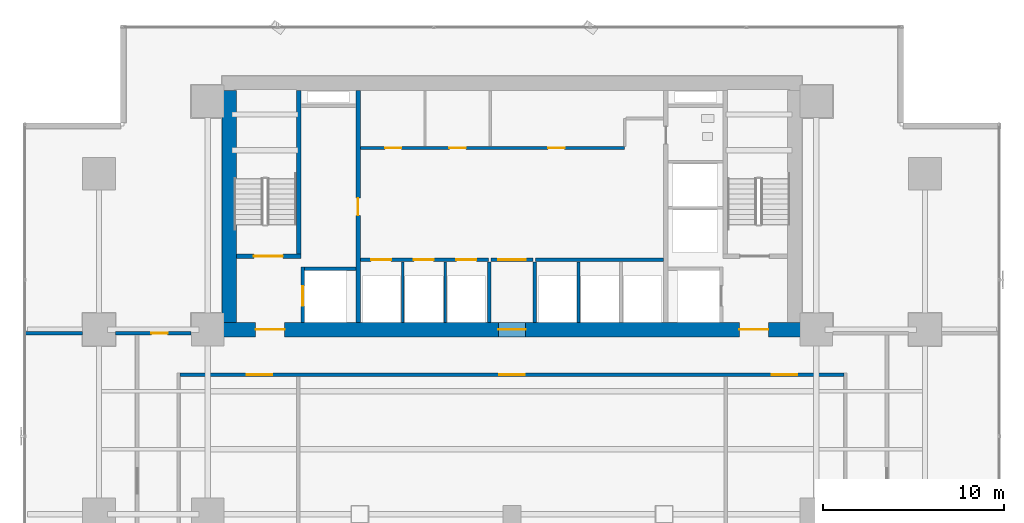
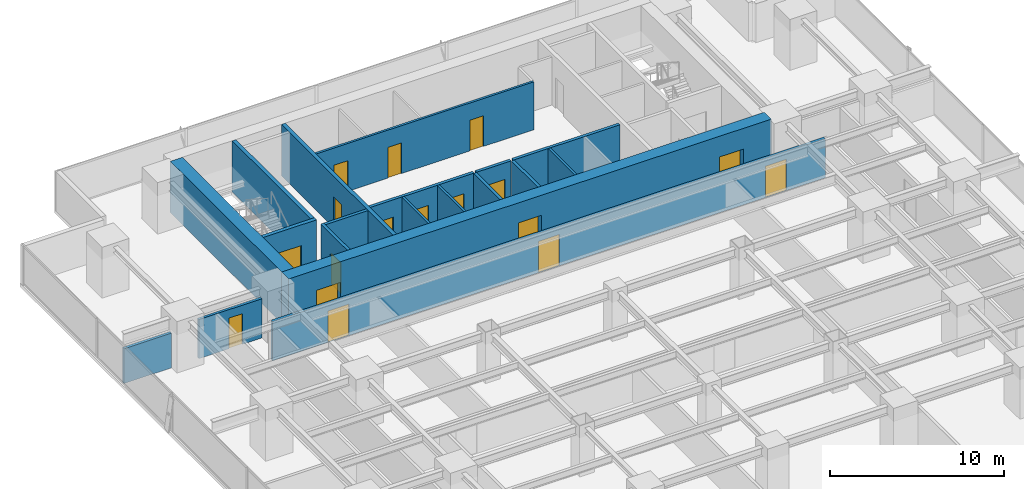
# One storey, part 25 of 33: 19 walls, 17 doors, 17 openings.
"""IFC4 building model written with IfcOpenShell, lengths in metres."""

from ifc_helpers import new_model, si_unit, direction, frame, frame_2d, origin, place, context, subcontext, project, spatial, rectangle, extrude, source, transform, mapped, material, layer, layer_set, type_object, element, fill, save


model = new_model("IFC4")

# Units and contexts
model_context = context("Model", 3, precision=1e-05, world=origin(), true_north=direction((0.0, 1.0)))
body_context = subcontext(model_context, "Body", "Model", "MODEL_VIEW")
ifc_project = project(units=[si_unit("LENGTHUNIT", "METRE"), si_unit("AREAUNIT", "SQUARE_METRE"), si_unit("VOLUMEUNIT", "CUBIC_METRE"), si_unit("PLANEANGLEUNIT", "RADIAN"), si_unit("MASSUNIT", "GRAM", prefix="KILO")], contexts=[model_context])

# Site, building, storey
site_placement = place(None, origin())
site = spatial("IfcSite", under=ifc_project, at=site_placement, CompositionType="ELEMENT")
building_placement = place(site_placement, origin())
building = spatial("IfcBuilding", under=site, at=building_placement, Name="Sumidabori Civic Tower", CompositionType="ELEMENT")
storey_placement = place(building_placement, frame((0.0, 0.0, 63.199951171875)))
storey = spatial("IfcBuildingStorey", under=building, at=storey_placement, Name="L16", CompositionType="ELEMENT", Elevation=63.199951171875)

# Wall, openings, doors
ifc_material_1 = material(Name="Concrete C60/75", Category="concrete")
ifc_layer_1 = layer(ifc_material_1, 0.800048828125, Name="Concrete C60/75")
ifc_layer_set_1 = layer_set([ifc_layer_1], Name="Concrete C60/75")
wall_type_1 = type_object("IfcWallType", Name="WL-CORE-800", PredefinedType="SHEAR", material=ifc_layer_set_1)
shared_shape_1 = source(origin(), body_context, "Body", "SweptSolid", [
    extrude(rectangle(XDim=32.0, YDim=0.800048828125, at=frame_2d((16.0, 0.0))), origin(), (0.0, 0.0, 1.0), 3.60009765625),
])
wall_1_placement = place(storey_placement, frame((-16.0, 10.199951171875, 0.0), z_axis=(0.0, 0.0, 1.0), x_axis=(1.0, 0.0, 0.0)))
wall_1 = element("IfcWall", 1, at=wall_1_placement, inside=storey, type_object=wall_type_1, Name="Core Shear Wall L16 S", PredefinedType="SHEAR", context=body_context, shape_type="MappedRepresentation", body=[
    mapped(shared_shape_1, transform((0.0, 0.0, 0.0), x_axis=(1.0, 0.0, 0.0), y_axis=(0.0, 1.0, 0.0), z_axis=(0.0, 0.0, 1.0), scale=1.0)),
])
opening_1_placement = place(wall_1_placement, frame((1.85009765625, 0.0, 0.0)))
opening_1 = element("IfcOpeningElement", 2, at=opening_1_placement, cuts=wall_1, Name="Opening DR-FD4", PredefinedType="OPENING", context=body_context, shape_type="SweptSolid", body=[
    extrude(rectangle(XDim=1.60009765625, YDim=2.14990234375, at=frame_2d((0.800048828125, 1.074951171875))), frame((0.0, 0.412109375, 0.0), z_axis=(0.0, -1.0, 0.0), x_axis=(1.0, 0.0, 0.0)), (0.0, 0.0, 1.0), 0.823974609375),
])
opening_2_placement = place(wall_1_placement, frame((28.550048828125, 0.0, 0.0)))
opening_2 = element("IfcOpeningElement", 3, at=opening_2_placement, cuts=wall_1, Name="Opening DR-FD4", PredefinedType="OPENING", context=body_context, shape_type="SweptSolid", body=[
    extrude(rectangle(XDim=1.60009765625, YDim=2.14990234375, at=frame_2d((0.800048828125, 1.074951171875))), frame((0.0, 0.412109375, 0.0), z_axis=(0.0, -1.0, 0.0), x_axis=(1.0, 0.0, 0.0)), (0.0, 0.0, 1.0), 0.823974609375),
])
opening_3_placement = place(wall_1_placement, frame((15.25, 0.0, 0.0)))
opening_3 = element("IfcOpeningElement", 4, at=opening_3_placement, cuts=wall_1, Name="Opening DR-FD3", PredefinedType="OPENING", context=body_context, shape_type="SweptSolid", body=[
    extrude(rectangle(XDim=1.5, YDim=2.199951171875, at=frame_2d((0.75, 1.10009765625))), frame((0.0, 0.412109375, 0.0), z_axis=(0.0, -1.0, 0.0), x_axis=(1.0, 0.0, 0.0)), (0.0, 0.0, 1.0), 0.823974609375),
])
ifc_material_2 = material(Name="Steel SN490", Category="steel")
door_type_1 = type_object("IfcDoorType", Name="DR-FD4", OperationType="DOUBLE_DOOR_SINGLE_SWING", PredefinedType="DOOR", material=ifc_material_2)
shared_shape_2 = source(origin(), body_context, "Body", "SweptSolid", [
    extrude(rectangle(XDim=1.60009765625, YDim=2.14990234375, at=frame_2d((0.800048828125, 1.074951171875))), frame((0.0, 0.02490234375, 0.0), z_axis=(0.0, -1.0, 0.0), x_axis=(1.0, 0.0, 0.0)), (0.0, 0.0, 1.0), 0.050048828125),
])
door_1_placement = place(opening_1_placement, origin())
door_1 = element("IfcDoor", 5, at=door_1_placement, inside=storey, type_object=door_type_1, Name="Door DR:L16:ELOB-W", OperationType="DOUBLE_DOOR_SINGLE_SWING", OverallHeight=2.14990234375, OverallWidth=1.60009765625, PredefinedType="DOOR", context=body_context, shape_type="MappedRepresentation", body=[
    mapped(shared_shape_2, transform((0.0, 0.0, 0.0), x_axis=(1.0, 0.0, 0.0), y_axis=(0.0, 1.0, 0.0), z_axis=(0.0, 0.0, 1.0), scale=1.0)),
])
fill(opening_1, door_1)
door_2_placement = place(opening_2_placement, origin())
door_2 = element("IfcDoor", 6, at=door_2_placement, inside=storey, type_object=door_type_1, Name="Door DR:L16:ELOB-E", OperationType="DOUBLE_DOOR_SINGLE_SWING", OverallHeight=2.14990234375, OverallWidth=1.60009765625, PredefinedType="DOOR", context=body_context, shape_type="MappedRepresentation", body=[
    mapped(shared_shape_2, transform((0.0, 0.0, 0.0), x_axis=(1.0, 0.0, 0.0), y_axis=(0.0, 1.0, 0.0), z_axis=(0.0, 0.0, 1.0), scale=1.0)),
])
fill(opening_2, door_2)
door_type_2 = type_object("IfcDoorType", Name="DR-FD-DBL", OperationType="DOUBLE_DOOR_SINGLE_SWING", PredefinedType="DOOR", material=ifc_material_2)
shared_shape_3 = source(origin(), body_context, "Body", "SweptSolid", [
    extrude(rectangle(XDim=1.5, YDim=2.199951171875, at=frame_2d((0.75, 1.10009765625))), frame((0.0, 0.02490234375, 0.0), z_axis=(0.0, -1.0, 0.0), x_axis=(1.0, 0.0, 0.0)), (0.0, 0.0, 1.0), 0.050048828125),
])
door_3_placement = place(opening_3_placement, origin())
door_3 = element("IfcDoor", 7, at=door_3_placement, inside=storey, type_object=door_type_2, Name="Door DR:L16:THROAT-OUT", OperationType="DOUBLE_DOOR_SINGLE_SWING", OverallHeight=2.199951171875, OverallWidth=1.5, PredefinedType="DOOR", context=body_context, shape_type="MappedRepresentation", body=[
    mapped(shared_shape_3, transform((0.0, 0.0, 0.0), x_axis=(1.0, 0.0, 0.0), y_axis=(0.0, 1.0, 0.0), z_axis=(0.0, 0.0, 1.0), scale=1.0)),
])
fill(opening_3, door_3)

# Wall
shared_shape_4 = source(origin(), body_context, "Body", "SweptSolid", [
    extrude(rectangle(XDim=12.7998046875, YDim=0.800048828125, at=frame_2d((6.39990234375, 0.0))), origin(), (0.0, 0.0, 1.0), 3.60009765625),
])
wall_2_placement = place(storey_placement, frame((-15.60009765625, 10.60009765625, 0.0), z_axis=(0.0, 0.0, 1.0), x_axis=(0.0, 1.0, 0.0)))
element("IfcWall", 8, at=wall_2_placement, inside=storey, type_object=wall_type_1, Name="Core Shear Wall L16 W", PredefinedType="SHEAR", context=body_context, shape_type="MappedRepresentation", body=[
    mapped(shared_shape_4, transform((0.0, 0.0, 0.0), x_axis=(1.0, 0.0, 0.0), y_axis=(0.0, 1.0, 0.0), z_axis=(0.0, 0.0, 1.0), scale=1.0)),
])

# Wall, opening, door
ifc_material_3 = material(Name="Concrete C50/60", Category="concrete")
ifc_layer_2 = layer(ifc_material_3, 0.25, Name="Concrete C50/60")
ifc_layer_set_2 = layer_set([ifc_layer_2], Name="Concrete C50/60")
wall_type_2 = type_object("IfcWallType", Name="WL-SHAFT-250", PredefinedType="SHEAR", material=ifc_layer_set_2)
shared_shape_5 = source(origin(), body_context, "Body", "SweptSolid", [
    extrude(rectangle(XDim=12.7998046875, YDim=0.25, at=frame_2d((6.39990234375, 0.0))), origin(), (0.0, 0.0, 1.0), 3.60009765625),
])
wall_3_placement = place(storey_placement, frame((-8.5, 10.60009765625, 0.0), z_axis=(0.0, 0.0, 1.0), x_axis=(0.0, 1.0, 0.0)))
wall_3 = element("IfcWall", 9, at=wall_3_placement, inside=storey, type_object=wall_type_2, Name="Core Shear Wall L16 WEB-W", PredefinedType="SHEAR", context=body_context, shape_type="MappedRepresentation", body=[
    mapped(shared_shape_5, transform((0.0, 0.0, 0.0), x_axis=(1.0, 0.0, 0.0), y_axis=(0.0, 1.0, 0.0), z_axis=(0.0, 0.0, 1.0), scale=1.0)),
])
opening_4_placement = place(wall_3_placement, frame((5.89990234375, 0.0, 0.0)))
opening_4 = element("IfcOpeningElement", 10, at=opening_4_placement, cuts=wall_3, Name="Opening DR-FD2", PredefinedType="OPENING", context=body_context, shape_type="SweptSolid", body=[
    extrude(rectangle(XDim=0.949951171875, YDim=2.14990234375, at=frame_2d((0.47509765625, 1.074951171875))), frame((0.0, 0.136962890625, 0.0), z_axis=(0.0, -1.0, 0.0), x_axis=(1.0, 0.0, 0.0)), (0.0, 0.0, 1.0), 0.27392578125),
])
door_type_3 = type_object("IfcDoorType", Name="DR-FD2", OperationType="NOTDEFINED", PredefinedType="DOOR", material=ifc_material_2)
shared_shape_6 = source(origin(), body_context, "Body", "SweptSolid", [
    extrude(rectangle(XDim=0.949951171875, YDim=2.14990234375, at=frame_2d((0.47509765625, 1.074951171875))), frame((0.0, 0.02490234375, 0.0), z_axis=(0.0, -1.0, 0.0), x_axis=(1.0, 0.0, 0.0)), (0.0, 0.0, 1.0), 0.050048828125),
])
door_4_placement = place(opening_4_placement, origin())
door_4 = element("IfcDoor", 11, at=door_4_placement, inside=storey, type_object=door_type_3, Name="Door DR:L16:CW-STR", OperationType="SINGLE_SWING_LEFT", OverallHeight=2.14990234375, OverallWidth=0.949951171875, PredefinedType="DOOR", context=body_context, shape_type="MappedRepresentation", body=[
    mapped(shared_shape_6, transform((0.0, 0.0, 0.0), x_axis=(1.0, 0.0, 0.0), y_axis=(0.0, 1.0, 0.0), z_axis=(0.0, 0.0, 1.0), scale=1.0)),
])
fill(opening_4, door_4)

shared_shape_7 = source(origin(), body_context, "Body", "SweptSolid", [
    extrude(rectangle(XDim=3.554931640625, YDim=0.25, at=frame_2d((1.77734375, 0.0))), origin(), (0.0, 0.0, 1.0), 3.60009765625),
])
wall_4_placement = place(storey_placement, frame((-15.199951171875, 14.25, 0.0), z_axis=(0.0, 0.0, 1.0), x_axis=(1.0, 0.0, 0.0)))
wall_4 = element("IfcWall", 12, at=wall_4_placement, inside=storey, type_object=wall_type_2, Name="Core Shear Wall L16 ST1-S", PredefinedType="SHEAR", context=body_context, shape_type="MappedRepresentation", body=[
    mapped(shared_shape_7, transform((0.0, 0.0, 0.0), x_axis=(1.0, 0.0, 0.0), y_axis=(0.0, 1.0, 0.0), z_axis=(0.0, 0.0, 1.0), scale=1.0)),
])
opening_5_placement = place(wall_4_placement, frame((0.949951171875, 0.0, 0.0)))
opening_5 = element("IfcOpeningElement", 13, at=opening_5_placement, cuts=wall_4, Name="Opening DR-FD4", PredefinedType="OPENING", context=body_context, shape_type="SweptSolid", body=[
    extrude(rectangle(XDim=1.60009765625, YDim=2.14990234375, at=frame_2d((0.800048828125, 1.074951171875))), frame((0.0, 0.136962890625, 0.0), z_axis=(0.0, -1.0, 0.0), x_axis=(1.0, 0.0, 0.0)), (0.0, 0.0, 1.0), 0.27392578125),
])
door_5_placement = place(opening_5_placement, origin())
door_5 = element("IfcDoor", 14, at=door_5_placement, inside=storey, type_object=door_type_1, Name="Door DR:L16:ST1", OperationType="DOUBLE_DOOR_SINGLE_SWING", OverallHeight=2.14990234375, OverallWidth=1.60009765625, PredefinedType="DOOR", context=body_context, shape_type="MappedRepresentation", body=[
    mapped(shared_shape_2, transform((0.0, 0.0, 0.0), x_axis=(1.0, 0.0, 0.0), y_axis=(0.0, 1.0, 0.0), z_axis=(0.0, 0.0, 1.0), scale=1.0)),
])
fill(opening_5, door_5)

# Wall
shared_shape_8 = source(origin(), body_context, "Body", "SweptSolid", [
    extrude(rectangle(XDim=9.02490234375, YDim=0.25, at=frame_2d((4.512451171875, 0.0))), origin(), (0.0, 0.0, 1.0), 3.60009765625),
])
wall_5_placement = place(storey_placement, frame((-11.77001953125, 14.375, 0.0), z_axis=(0.0, 0.0, 1.0), x_axis=(0.0, 1.0, 0.0)))
element("IfcWall", 15, at=wall_5_placement, inside=storey, type_object=wall_type_2, Name="Core Shear Wall L16 ST1-E", PredefinedType="SHEAR", context=body_context, shape_type="MappedRepresentation", body=[
    mapped(shared_shape_8, transform((0.0, 0.0, 0.0), x_axis=(1.0, 0.0, 0.0), y_axis=(0.0, 1.0, 0.0), z_axis=(0.0, 0.0, 1.0), scale=1.0)),
])

# Wall, opening, door
ifc_layer_3 = layer(ifc_material_3, 0.199951171875, Name="Concrete C50/60")
ifc_layer_set_3 = layer_set([ifc_layer_3], Name="Concrete C50/60")
wall_type_3 = type_object("IfcWallType", Name="WL-SHAFT-200", PredefinedType="SHEAR", material=ifc_layer_set_3)
shared_shape_9 = source(origin(), body_context, "Body", "SweptSolid", [
    extrude(rectangle(XDim=3.0498046875, YDim=0.199951171875, at=frame_2d((1.52490234375, 0.0))), origin(), (0.0, 0.0, 1.0), 3.60009765625),
])
wall_6_placement = place(storey_placement, frame((-11.550048828125, 10.60009765625, 0.0), z_axis=(0.0, 0.0, 1.0), x_axis=(0.0, 1.0, 0.0)))
wall_6 = element("IfcWall", 16, at=wall_6_placement, inside=storey, type_object=wall_type_3, Name="Core Shear Wall L16 EL1-W", PredefinedType="SHEAR", context=body_context, shape_type="MappedRepresentation", body=[
    mapped(shared_shape_9, transform((0.0, 0.0, 0.0), x_axis=(1.0, 0.0, 0.0), y_axis=(0.0, 1.0, 0.0), z_axis=(0.0, 0.0, 1.0), scale=1.0)),
])
opening_6_placement = place(wall_6_placement, frame((0.89990234375, 0.0, 0.0)))
opening_6 = element("IfcOpeningElement", 17, at=opening_6_placement, cuts=wall_6, Name="Opening LD-2", PredefinedType="OPENING", context=body_context, shape_type="SweptSolid", body=[
    extrude(rectangle(XDim=1.10009765625, YDim=2.14990234375, at=frame_2d((0.550048828125, 1.074951171875))), frame((0.0, 0.11181640625, 0.0), z_axis=(0.0, -1.0, 0.0), x_axis=(1.0, 0.0, 0.0)), (0.0, 0.0, 1.0), 0.223876953125),
])
ifc_material_4 = material(Name="Stainless Steel Hairline Finish", Category="steel")
door_type_4 = type_object("IfcDoorType", Name="DR-LD2", OperationType="DOUBLE_DOOR_SLIDING", PredefinedType="DOOR", material=ifc_material_4)
shared_shape_10 = source(origin(), body_context, "Body", "SweptSolid", [
    extrude(rectangle(XDim=1.10009765625, YDim=2.14990234375, at=frame_2d((0.550048828125, 1.074951171875))), frame((0.0, 0.02490234375, 0.0), z_axis=(0.0, -1.0, 0.0), x_axis=(1.0, 0.0, 0.0)), (0.0, 0.0, 1.0), 0.050048828125),
])
door_6_placement = place(opening_6_placement, origin())
door_6 = element("IfcDoor", 18, at=door_6_placement, inside=storey, type_object=door_type_4, Name="Door DR:L16:LD-EL1", OperationType="DOUBLE_DOOR_SLIDING", OverallHeight=2.14990234375, OverallWidth=1.10009765625, PredefinedType="DOOR", context=body_context, shape_type="MappedRepresentation", body=[
    mapped(shared_shape_10, transform((0.0, 0.0, 0.0), x_axis=(1.0, 0.0, 0.0), y_axis=(0.0, 1.0, 0.0), z_axis=(0.0, 0.0, 1.0), scale=1.0)),
])
fill(opening_6, door_6)

# Wall
shared_shape_11 = source(origin(), body_context, "Body", "SweptSolid", [
    extrude(rectangle(XDim=2.824951171875, YDim=0.199951171875, at=frame_2d((1.41259765625, 0.0))), origin(), (0.0, 0.0, 1.0), 3.60009765625),
])
wall_7_placement = place(storey_placement, frame((-11.449951171875, 13.550048828125, 0.0), z_axis=(0.0, 0.0, 1.0), x_axis=(1.0, 0.0, 0.0)))
element("IfcWall", 19, at=wall_7_placement, inside=storey, type_object=wall_type_3, Name="Core Shear Wall L16 EL1-N", PredefinedType="SHEAR", context=body_context, shape_type="MappedRepresentation", body=[
    mapped(shared_shape_11, transform((0.0, 0.0, 0.0), x_axis=(1.0, 0.0, 0.0), y_axis=(0.0, 1.0, 0.0), z_axis=(0.0, 0.0, 1.0), scale=1.0)),
])

# Wall, openings, doors
ifc_material_5 = material(Name="Gypsum Plasterboard Fire Partition")
ifc_layer_4 = layer(ifc_material_5, 0.199951171875, Name="Gypsum Plasterboard Fire Partition")
ifc_layer_set_4 = layer_set([ifc_layer_4], Name="Gypsum Plasterboard Fire Partition")
wall_type_4 = type_object("IfcWallType", Name="WL-PART-FIRE", PredefinedType="PARTITIONING", material=ifc_layer_set_4)
shared_shape_12 = source(origin(), body_context, "Body", "SweptSolid", [
    extrude(rectangle(XDim=7.070068359375, YDim=0.199951171875, at=frame_2d((3.53515625, 0.0))), origin(), (0.0, 0.0, 1.0), 3.360107421875),
])
wall_8_placement = place(storey_placement, frame((-8.3701171875, 14.050048828125, 0.0), z_axis=(0.0, 0.0, 1.0), x_axis=(1.0, 0.0, 0.0)))
wall_8 = element("IfcWall", 20, at=wall_8_placement, inside=storey, type_object=wall_type_4, Name="Interior Partition WL:L16:CBAND-SW", PredefinedType="PARTITIONING", context=body_context, shape_type="MappedRepresentation", body=[
    mapped(shared_shape_12, transform((0.0, 0.0, 0.0), x_axis=(1.0, 0.0, 0.0), y_axis=(0.0, 1.0, 0.0), z_axis=(0.0, 0.0, 1.0), scale=1.0)),
])
opening_7_placement = place(wall_8_placement, frame((0.60009765625, 0.0, 0.0)))
opening_7 = element("IfcOpeningElement", 21, at=opening_7_placement, cuts=wall_8, Name="Opening LD-1", PredefinedType="OPENING", context=body_context, shape_type="SweptSolid", body=[
    extrude(rectangle(XDim=1.10009765625, YDim=2.14990234375, at=frame_2d((0.550048828125, 1.074951171875))), frame((0.0, 0.11181640625, 0.0), z_axis=(0.0, -1.0, 0.0), x_axis=(1.0, 0.0, 0.0)), (0.0, 0.0, 1.0), 0.223876953125),
])
opening_8_placement = place(wall_8_placement, frame((2.949951171875, 0.0, 0.0)))
opening_8 = element("IfcOpeningElement", 22, at=opening_8_placement, cuts=wall_8, Name="Opening LD-1", PredefinedType="OPENING", context=body_context, shape_type="SweptSolid", body=[
    extrude(rectangle(XDim=1.10009765625, YDim=2.14990234375, at=frame_2d((0.550048828125, 1.074951171875))), frame((0.0, 0.11181640625, 0.0), z_axis=(0.0, -1.0, 0.0), x_axis=(1.0, 0.0, 0.0)), (0.0, 0.0, 1.0), 0.223876953125),
])
opening_9_placement = place(wall_8_placement, frame((5.300048828125, 0.0, 0.0)))
opening_9 = element("IfcOpeningElement", 23, at=opening_9_placement, cuts=wall_8, Name="Opening LD-1", PredefinedType="OPENING", context=body_context, shape_type="SweptSolid", body=[
    extrude(rectangle(XDim=1.10009765625, YDim=2.14990234375, at=frame_2d((0.550048828125, 1.074951171875))), frame((0.0, 0.11181640625, 0.0), z_axis=(0.0, -1.0, 0.0), x_axis=(1.0, 0.0, 0.0)), (0.0, 0.0, 1.0), 0.223876953125),
])
door_type_5 = type_object("IfcDoorType", Name="DR-LD1", OperationType="DOUBLE_DOOR_SLIDING", PredefinedType="DOOR", material=ifc_material_4)
door_7_placement = place(opening_7_placement, origin())
door_7 = element("IfcDoor", 24, at=door_7_placement, inside=storey, type_object=door_type_5, Name="Door DR:L16:LD-PLL1", OperationType="DOUBLE_DOOR_SLIDING", OverallHeight=2.14990234375, OverallWidth=1.10009765625, PredefinedType="DOOR", context=body_context, shape_type="MappedRepresentation", body=[
    mapped(shared_shape_10, transform((0.0, 0.0, 0.0), x_axis=(1.0, 0.0, 0.0), y_axis=(0.0, 1.0, 0.0), z_axis=(0.0, 0.0, 1.0), scale=1.0)),
])
fill(opening_7, door_7)
door_8_placement = place(opening_8_placement, origin())
door_8 = element("IfcDoor", 25, at=door_8_placement, inside=storey, type_object=door_type_5, Name="Door DR:L16:LD-PLL2", OperationType="DOUBLE_DOOR_SLIDING", OverallHeight=2.14990234375, OverallWidth=1.10009765625, PredefinedType="DOOR", context=body_context, shape_type="MappedRepresentation", body=[
    mapped(shared_shape_10, transform((0.0, 0.0, 0.0), x_axis=(1.0, 0.0, 0.0), y_axis=(0.0, 1.0, 0.0), z_axis=(0.0, 0.0, 1.0), scale=1.0)),
])
fill(opening_8, door_8)
door_9_placement = place(opening_9_placement, origin())
door_9 = element("IfcDoor", 26, at=door_9_placement, inside=storey, type_object=door_type_5, Name="Door DR:L16:LD-PLL3", OperationType="DOUBLE_DOOR_SLIDING", OverallHeight=2.14990234375, OverallWidth=1.10009765625, PredefinedType="DOOR", context=body_context, shape_type="MappedRepresentation", body=[
    mapped(shared_shape_10, transform((0.0, 0.0, 0.0), x_axis=(1.0, 0.0, 0.0), y_axis=(0.0, 1.0, 0.0), z_axis=(0.0, 0.0, 1.0), scale=1.0)),
])
fill(opening_9, door_9)

# Walls
wall_9_placement = place(storey_placement, frame((1.300048828125, 14.050048828125, 0.0), z_axis=(0.0, 0.0, 1.0), x_axis=(1.0, 0.0, 0.0)))
element("IfcWall", 27, at=wall_9_placement, inside=storey, type_object=wall_type_4, Name="Interior Partition WL:L16:CBAND-SE", PredefinedType="PARTITIONING", context=body_context, shape_type="MappedRepresentation", body=[
    mapped(shared_shape_12, transform((0.0, 0.0, 0.0), x_axis=(1.0, 0.0, 0.0), y_axis=(0.0, 1.0, 0.0), z_axis=(0.0, 0.0, 1.0), scale=1.0)),
])
shared_shape_13 = source(origin(), body_context, "Body", "SweptSolid", [
    extrude(rectangle(XDim=3.33984375, YDim=0.199951171875, at=frame_2d((1.669921875, 0.0))), origin(), (0.0, 0.0, 1.0), 3.360107421875),
])
for number, where, z_axis, x_axis, name in (
    (28, (-1.25, 10.60009765625, 0.0), (0.0, 0.0, 1.0), (0.0, 1.0, 0.0), "Interior Partition WL:L16:THROAT-W"),
    (29, (1.25, 10.60009765625, 0.0), (0.0, 0.0, 1.0), (0.0, 1.0, 0.0), "Interior Partition WL:L16:THROAT-E"),
):
    element("IfcWall", number, at=place(storey_placement, frame(where, z_axis=z_axis, x_axis=x_axis)), inside=storey, type_object=wall_type_4, Name=name, PredefinedType="PARTITIONING", context=body_context, shape_type="MappedRepresentation", body=[
        mapped(shared_shape_13, transform((0.0, 0.0, 0.0), x_axis=(1.0, 0.0, 0.0), y_axis=(0.0, 1.0, 0.0), z_axis=(0.0, 0.0, 1.0), scale=1.0)),
    ])

# Wall, opening, door
shared_shape_14 = source(origin(), body_context, "Body", "SweptSolid", [
    extrude(rectangle(XDim=2.2998046875, YDim=0.199951171875, at=frame_2d((1.14990234375, 0.0))), origin(), (0.0, 0.0, 1.0), 3.360107421875),
])
wall_10_placement = place(storey_placement, frame((-1.14990234375, 14.050048828125, 0.0), z_axis=(0.0, 0.0, 1.0), x_axis=(1.0, 0.0, 0.0)))
wall_10 = element("IfcWall", 30, at=wall_10_placement, inside=storey, type_object=wall_type_4, Name="Interior Partition WL:L16:THROAT-N", PredefinedType="PARTITIONING", context=body_context, shape_type="MappedRepresentation", body=[
    mapped(shared_shape_14, transform((0.0, 0.0, 0.0), x_axis=(1.0, 0.0, 0.0), y_axis=(0.0, 1.0, 0.0), z_axis=(0.0, 0.0, 1.0), scale=1.0)),
])
opening_10_placement = place(wall_10_placement, frame((0.39990234375, 0.0, 0.0)))
opening_10 = element("IfcOpeningElement", 31, at=opening_10_placement, cuts=wall_10, Name="Opening DR-FD3", PredefinedType="OPENING", context=body_context, shape_type="SweptSolid", body=[
    extrude(rectangle(XDim=1.5, YDim=2.199951171875, at=frame_2d((0.75, 1.10009765625))), frame((0.0, 0.11181640625, 0.0), z_axis=(0.0, -1.0, 0.0), x_axis=(1.0, 0.0, 0.0)), (0.0, 0.0, 1.0), 0.223876953125),
])
door_10_placement = place(opening_10_placement, origin())
door_10 = element("IfcDoor", 32, at=door_10_placement, inside=storey, type_object=door_type_2, Name="Door DR:L16:THROAT-IN", OperationType="DOUBLE_DOOR_SINGLE_SWING", OverallHeight=2.199951171875, OverallWidth=1.5, PredefinedType="DOOR", context=body_context, shape_type="MappedRepresentation", body=[
    mapped(shared_shape_3, transform((0.0, 0.0, 0.0), x_axis=(1.0, 0.0, 0.0), y_axis=(0.0, 1.0, 0.0), z_axis=(0.0, 0.0, 1.0), scale=1.0)),
])
fill(opening_10, door_10)

# Wall, openings, doors
ifc_material_6 = material(Name="Gypsum Plasterboard Acoustic Partition")
ifc_layer_5 = layer(ifc_material_6, 0.14990234375, Name="Gypsum Plasterboard Acoustic Partition")
ifc_layer_set_5 = layer_set([ifc_layer_5], Name="Gypsum Plasterboard Acoustic Partition")
wall_type_5 = type_object("IfcWallType", Name="WL-PART-150", PredefinedType="PARTITIONING", material=ifc_layer_set_5)
shared_shape_15 = source(origin(), body_context, "Body", "SweptSolid", [
    extrude(rectangle(XDim=14.590087890625, YDim=0.14990234375, at=frame_2d((7.294921875, 0.0))), origin(), (0.0, 0.0, 1.0), 3.360107421875),
])
wall_11_placement = place(storey_placement, frame((-8.3701171875, 20.219970703125, 0.0), z_axis=(0.0, 0.0, 1.0), x_axis=(1.0, 0.0, 0.0)))
wall_11 = element("IfcWall", 33, at=wall_11_placement, inside=storey, type_object=wall_type_5, Name="Interior Partition WL:L16:CBAND-M", PredefinedType="PARTITIONING", context=body_context, shape_type="MappedRepresentation", body=[
    mapped(shared_shape_15, transform((0.0, 0.0, 0.0), x_axis=(1.0, 0.0, 0.0), y_axis=(0.0, 1.0, 0.0), z_axis=(0.0, 0.0, 1.0), scale=1.0)),
])
opening_11_placement = place(wall_11_placement, frame((1.360107421875, 0.0, 0.0)))
opening_11 = element("IfcOpeningElement", 34, at=opening_11_placement, cuts=wall_11, Name="Opening DR-1", PredefinedType="OPENING", context=body_context, shape_type="SweptSolid", body=[
    extrude(rectangle(XDim=0.89990234375, YDim=2.14990234375, at=frame_2d((0.449951171875, 1.074951171875))), frame((0.0, 0.0869140625, 0.0), z_axis=(0.0, -1.0, 0.0), x_axis=(1.0, 0.0, 0.0)), (0.0, 0.0, 1.0), 0.173828125),
])
opening_12_placement = place(wall_11_placement, frame((4.919921875, 0.0, 0.0)))
opening_12 = element("IfcOpeningElement", 35, at=opening_12_placement, cuts=wall_11, Name="Opening DR-1", PredefinedType="OPENING", context=body_context, shape_type="SweptSolid", body=[
    extrude(rectangle(XDim=0.89990234375, YDim=2.14990234375, at=frame_2d((0.449951171875, 1.074951171875))), frame((0.0, 0.0869140625, 0.0), z_axis=(0.0, -1.0, 0.0), x_axis=(1.0, 0.0, 0.0)), (0.0, 0.0, 1.0), 0.173828125),
])
opening_13_placement = place(wall_11_placement, frame((10.3701171875, 0.0, 0.0)))
opening_13 = element("IfcOpeningElement", 36, at=opening_13_placement, cuts=wall_11, Name="Opening DR-1", PredefinedType="OPENING", context=body_context, shape_type="SweptSolid", body=[
    extrude(rectangle(XDim=0.89990234375, YDim=2.14990234375, at=frame_2d((0.449951171875, 1.074951171875))), frame((0.0, 0.0869140625, 0.0), z_axis=(0.0, -1.0, 0.0), x_axis=(1.0, 0.0, 0.0)), (0.0, 0.0, 1.0), 0.173828125),
])
ifc_material_7 = material(Name="Japanese Hinoki Timber", Category="wood")
door_type_6 = type_object("IfcDoorType", Name="DR-INT-900", OperationType="NOTDEFINED", PredefinedType="DOOR", material=ifc_material_7)
shared_shape_16 = source(origin(), body_context, "Body", "SweptSolid", [
    extrude(rectangle(XDim=0.89990234375, YDim=2.14990234375, at=frame_2d((0.449951171875, 1.074951171875))), frame((0.0, 0.02490234375, 0.0), z_axis=(0.0, -1.0, 0.0), x_axis=(1.0, 0.0, 0.0)), (0.0, 0.0, 1.0), 0.050048828125),
])
door_11_placement = place(opening_11_placement, origin())
door_11 = element("IfcDoor", 37, at=door_11_placement, inside=storey, type_object=door_type_6, Name="Door DR:L16:CB-1", OperationType="SINGLE_SWING_LEFT", OverallHeight=2.14990234375, OverallWidth=0.89990234375, PredefinedType="DOOR", context=body_context, shape_type="MappedRepresentation", body=[
    mapped(shared_shape_16, transform((0.0, 0.0, 0.0), x_axis=(1.0, 0.0, 0.0), y_axis=(0.0, 1.0, 0.0), z_axis=(0.0, 0.0, 1.0), scale=1.0)),
])
fill(opening_11, door_11)
door_12_placement = place(opening_12_placement, origin())
door_12 = element("IfcDoor", 38, at=door_12_placement, inside=storey, type_object=door_type_6, Name="Door DR:L16:CB-2", OperationType="SINGLE_SWING_RIGHT", OverallHeight=2.14990234375, OverallWidth=0.89990234375, PredefinedType="DOOR", context=body_context, shape_type="MappedRepresentation", body=[
    mapped(shared_shape_16, transform((0.0, 0.0, 0.0), x_axis=(1.0, 0.0, 0.0), y_axis=(0.0, 1.0, 0.0), z_axis=(0.0, 0.0, 1.0), scale=1.0)),
])
fill(opening_12, door_12)
door_13_placement = place(opening_13_placement, origin())
door_13 = element("IfcDoor", 39, at=door_13_placement, inside=storey, type_object=door_type_6, Name="Door DR:L16:CB-3", OperationType="SINGLE_SWING_LEFT", OverallHeight=2.14990234375, OverallWidth=0.89990234375, PredefinedType="DOOR", context=body_context, shape_type="MappedRepresentation", body=[
    mapped(shared_shape_16, transform((0.0, 0.0, 0.0), x_axis=(1.0, 0.0, 0.0), y_axis=(0.0, 1.0, 0.0), z_axis=(0.0, 0.0, 1.0), scale=1.0)),
])
fill(opening_13, door_13)

# Walls
shared_shape_17 = source(origin(), body_context, "Body", "SweptSolid", [
    extrude(rectangle(XDim=3.33984375, YDim=0.14990234375, at=frame_2d((1.669921875, 0.0))), origin(), (0.0, 0.0, 1.0), 3.360107421875),
])
for number, where, z_axis, x_axis, name in (
    (40, (-6.030029296875, 10.60009765625, 0.0), (0.0, 0.0, 1.0), (0.0, 1.0, 0.0), "Interior Partition WL:L16:DIV-PLL1"),
    (41, (-3.679931640625, 10.60009765625, 0.0), (0.0, 0.0, 1.0), (0.0, 1.0, 0.0), "Interior Partition WL:L16:DIV-PLL2"),
    (42, (3.669921875, 10.60009765625, 0.0), (0.0, 0.0, 1.0), (0.0, 1.0, 0.0), "Interior Partition WL:L16:DIV-PLM1"),
):
    element("IfcWall", number, at=place(storey_placement, frame(where, z_axis=z_axis, x_axis=x_axis)), inside=storey, type_object=wall_type_5, Name=name, PredefinedType="PARTITIONING", context=body_context, shape_type="MappedRepresentation", body=[
        mapped(shared_shape_17, transform((0.0, 0.0, 0.0), x_axis=(1.0, 0.0, 0.0), y_axis=(0.0, 1.0, 0.0), z_axis=(0.0, 0.0, 1.0), scale=1.0)),
    ])
ifc_layer_6 = layer(ifc_material_6, 0.179931640625, Name="Gypsum Plasterboard Acoustic Partition")
ifc_layer_set_6 = layer_set([ifc_layer_6], Name="Gypsum Plasterboard Acoustic Partition")
wall_type_6 = type_object("IfcWallType", Name="WL-PART-180", PredefinedType="PARTITIONING", material=ifc_layer_set_6)
shared_shape_18 = source(origin(), body_context, "Body", "SweptSolid", [
    extrude(rectangle(XDim=3.14013671875, YDim=0.179931640625, at=frame_2d((1.570068359375, 0.0))), origin(), (0.0, 0.0, 1.0), 2.43505859375),
])
wall_12_placement = place(storey_placement, frame((-26.85009765625, 10.0, 0.0), z_axis=(0.0, 0.0, 1.0), x_axis=(1.0, 0.0, 0.0)))
element("IfcWall", 43, at=wall_12_placement, inside=storey, type_object=wall_type_6, Name="Interior Partition WL:L16:FLK-NW-1", PredefinedType="PARTITIONING", context=body_context, shape_type="MappedRepresentation", body=[
    mapped(shared_shape_18, transform((0.0, 0.0, 0.0), x_axis=(1.0, 0.0, 0.0), y_axis=(0.0, 1.0, 0.0), z_axis=(0.0, 0.0, 1.0), scale=1.0)),
])

# Wall, opening, door
shared_shape_19 = source(origin(), body_context, "Body", "SweptSolid", [
    extrude(rectangle(XDim=4.179931640625, YDim=0.179931640625, at=frame_2d((2.08984375, 0.0))), origin(), (0.0, 0.0, 1.0), 2.7451171875),
])
wall_13_placement = place(storey_placement, frame((-21.889892578125, 10.0, 0.0), z_axis=(0.0, 0.0, 1.0), x_axis=(1.0, 0.0, 0.0)))
wall_13 = element("IfcWall", 44, at=wall_13_placement, inside=storey, type_object=wall_type_6, Name="Interior Partition WL:L16:FLK-NW-2", PredefinedType="PARTITIONING", context=body_context, shape_type="MappedRepresentation", body=[
    mapped(shared_shape_19, transform((0.0, 0.0, 0.0), x_axis=(1.0, 0.0, 0.0), y_axis=(0.0, 1.0, 0.0), z_axis=(0.0, 0.0, 1.0), scale=1.0)),
])
opening_14_placement = place(wall_13_placement, frame((1.985107421875, 0.0, 0.0)))
opening_14 = element("IfcOpeningElement", 45, at=opening_14_placement, cuts=wall_13, Name="Opening DR-1", PredefinedType="OPENING", context=body_context, shape_type="SweptSolid", body=[
    extrude(rectangle(XDim=0.89990234375, YDim=2.14990234375, at=frame_2d((0.449951171875, 1.074951171875))), frame((0.0, 0.10205078125, 0.0), z_axis=(0.0, -1.0, 0.0), x_axis=(1.0, 0.0, 0.0)), (0.0, 0.0, 1.0), 0.203857421875),
])
door_14_placement = place(opening_14_placement, origin())
door_14 = element("IfcDoor", 46, at=door_14_placement, inside=storey, type_object=door_type_6, Name="Door DR:L16:FLK-NW", OperationType="SINGLE_SWING_LEFT", OverallHeight=2.14990234375, OverallWidth=0.89990234375, PredefinedType="DOOR", context=body_context, shape_type="MappedRepresentation", body=[
    mapped(shared_shape_16, transform((0.0, 0.0, 0.0), x_axis=(1.0, 0.0, 0.0), y_axis=(0.0, 1.0, 0.0), z_axis=(0.0, 0.0, 1.0), scale=1.0)),
])
fill(opening_14, door_14)

# Wall, openings, doors
shared_shape_20 = source(origin(), body_context, "Body", "SweptSolid", [
    extrude(rectangle(XDim=36.64013671875, YDim=0.179931640625, at=frame_2d((18.320068359375, 0.0))), origin(), (0.0, 0.0, 1.0), 2.7451171875),
])
wall_14_placement = place(storey_placement, frame((-18.320068359375, 7.7099609375, 0.0), z_axis=(0.0, 0.0, 1.0), x_axis=(1.0, 0.0, 0.0)))
wall_14 = element("IfcWall", 47, at=wall_14_placement, inside=storey, type_object=wall_type_6, Name="Interior Partition WL:L16:CORR-S", PredefinedType="PARTITIONING", context=body_context, shape_type="MappedRepresentation", body=[
    mapped(shared_shape_20, transform((0.0, 0.0, 0.0), x_axis=(1.0, 0.0, 0.0), y_axis=(0.0, 1.0, 0.0), z_axis=(0.0, 0.0, 1.0), scale=1.0)),
])
opening_15_placement = place(wall_14_placement, frame((3.675048828125, 0.0, 0.0)))
opening_15 = element("IfcOpeningElement", 48, at=opening_15_placement, cuts=wall_14, Name="Opening DR-5", PredefinedType="OPENING", context=body_context, shape_type="SweptSolid", body=[
    extrude(rectangle(XDim=1.39990234375, YDim=2.199951171875, at=frame_2d((0.699951171875, 1.10009765625))), frame((0.0, 0.10205078125, 0.0), z_axis=(0.0, -1.0, 0.0), x_axis=(1.0, 0.0, 0.0)), (0.0, 0.0, 1.0), 0.203857421875),
])
opening_16_placement = place(wall_14_placement, frame((17.6201171875, 0.0, 0.0)))
opening_16 = element("IfcOpeningElement", 49, at=opening_16_placement, cuts=wall_14, Name="Opening DR-5", PredefinedType="OPENING", context=body_context, shape_type="SweptSolid", body=[
    extrude(rectangle(XDim=1.39990234375, YDim=2.199951171875, at=frame_2d((0.699951171875, 1.10009765625))), frame((0.0, 0.10205078125, 0.0), z_axis=(0.0, -1.0, 0.0), x_axis=(1.0, 0.0, 0.0)), (0.0, 0.0, 1.0), 0.203857421875),
])
opening_17_placement = place(wall_14_placement, frame((32.6650390625, 0.0, 0.0)))
opening_17 = element("IfcOpeningElement", 50, at=opening_17_placement, cuts=wall_14, Name="Opening DR-5", PredefinedType="OPENING", context=body_context, shape_type="SweptSolid", body=[
    extrude(rectangle(XDim=1.39990234375, YDim=2.199951171875, at=frame_2d((0.699951171875, 1.10009765625))), frame((0.0, 0.10205078125, 0.0), z_axis=(0.0, -1.0, 0.0), x_axis=(1.0, 0.0, 0.0)), (0.0, 0.0, 1.0), 0.203857421875),
])
ifc_material_8 = material(Name="Anodised Bronze Aluminium AW-6063-T6", Category="aluminium")
door_type_7 = type_object("IfcDoorType", Name="DR-DBL-1400", OperationType="DOUBLE_DOOR_SINGLE_SWING", PredefinedType="DOOR", material=ifc_material_8)
shared_shape_21 = source(origin(), body_context, "Body", "SweptSolid", [
    extrude(rectangle(XDim=1.39990234375, YDim=2.199951171875, at=frame_2d((0.699951171875, 1.10009765625))), frame((0.0, 0.02490234375, 0.0), z_axis=(0.0, -1.0, 0.0), x_axis=(1.0, 0.0, 0.0)), (0.0, 0.0, 1.0), 0.050048828125),
])
door_15_placement = place(opening_15_placement, origin())
door_15 = element("IfcDoor", 51, at=door_15_placement, inside=storey, type_object=door_type_7, Name="Door DR:L16:D04", OperationType="DOUBLE_DOOR_SINGLE_SWING", OverallHeight=2.199951171875, OverallWidth=1.39990234375, PredefinedType="DOOR", context=body_context, shape_type="MappedRepresentation", body=[
    mapped(shared_shape_21, transform((0.0, 0.0, 0.0), x_axis=(1.0, 0.0, 0.0), y_axis=(0.0, 1.0, 0.0), z_axis=(0.0, 0.0, 1.0), scale=1.0)),
])
fill(opening_15, door_15)
door_16_placement = place(opening_16_placement, origin())
door_16 = element("IfcDoor", 52, at=door_16_placement, inside=storey, type_object=door_type_7, Name="Door DR:L16:D05", OperationType="DOUBLE_DOOR_SINGLE_SWING", OverallHeight=2.199951171875, OverallWidth=1.39990234375, PredefinedType="DOOR", context=body_context, shape_type="MappedRepresentation", body=[
    mapped(shared_shape_21, transform((0.0, 0.0, 0.0), x_axis=(1.0, 0.0, 0.0), y_axis=(0.0, 1.0, 0.0), z_axis=(0.0, 0.0, 1.0), scale=1.0)),
])
fill(opening_16, door_16)
door_17_placement = place(opening_17_placement, origin())
door_17 = element("IfcDoor", 53, at=door_17_placement, inside=storey, type_object=door_type_7, Name="Door DR:L16:D06", OperationType="DOUBLE_DOOR_SINGLE_SWING", OverallHeight=2.199951171875, OverallWidth=1.39990234375, PredefinedType="DOOR", context=body_context, shape_type="MappedRepresentation", body=[
    mapped(shared_shape_21, transform((0.0, 0.0, 0.0), x_axis=(1.0, 0.0, 0.0), y_axis=(0.0, 1.0, 0.0), z_axis=(0.0, 0.0, 1.0), scale=1.0)),
])
fill(opening_17, door_17)

save(model, "model.ifc")
